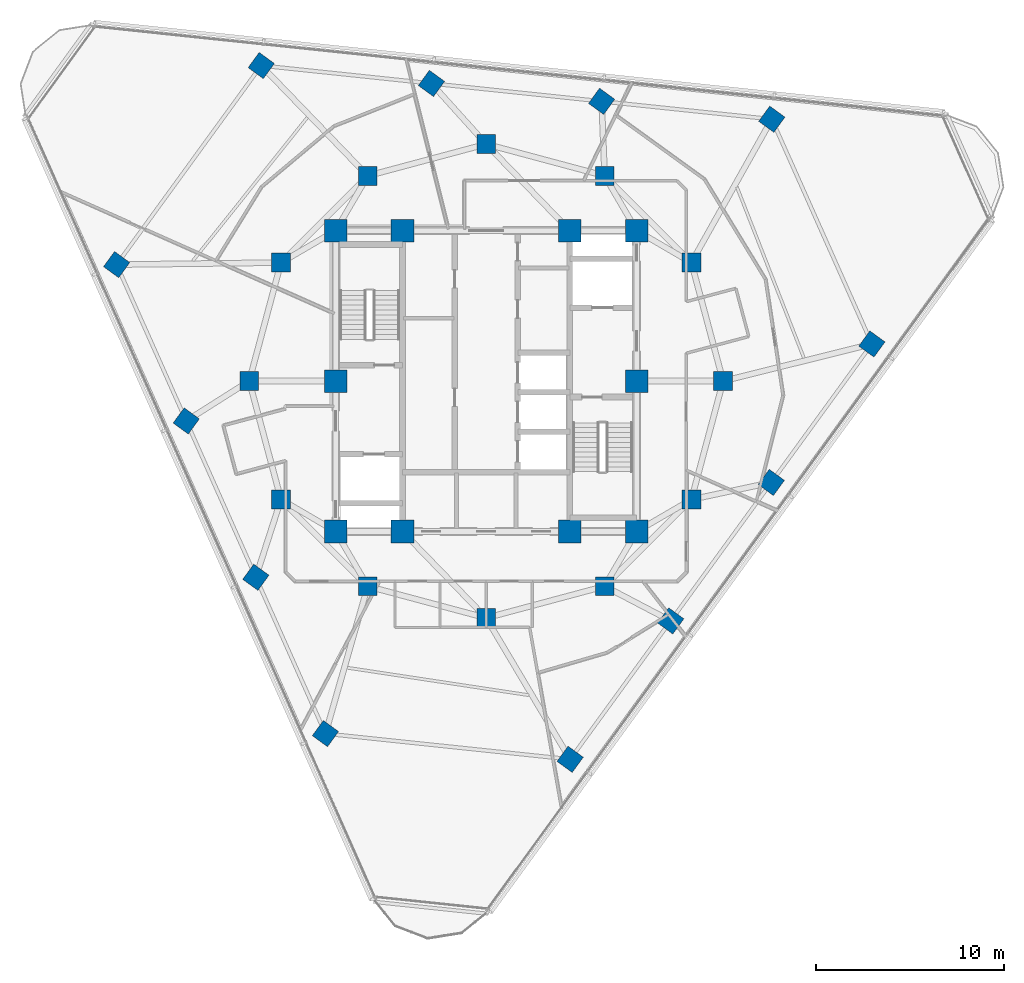
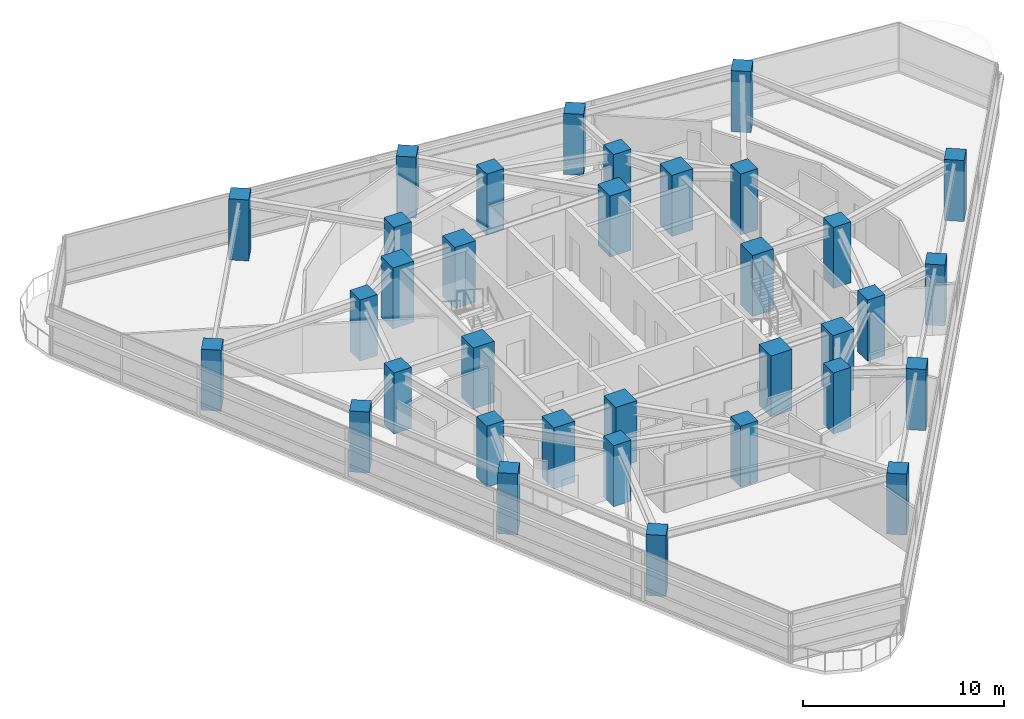
# One storey, part 1 of 15: 34 columns.
"""IFC4 building model written with IfcOpenShell, lengths in metres."""

from ifc_helpers import new_model, si_unit, direction, frame, origin, origin_2d, place, context, subcontext, project, spatial, rectangle, extrude, material, material_profile, profile_set, type_object, element, save


model = new_model("IFC4")

# Units and contexts
model_context = context("Model", 3, precision=1e-05, world=origin(), true_north=direction((0.0, 1.0)))
body_context = subcontext(model_context, "Body", "Model", "MODEL_VIEW")
ifc_project = project(units=[si_unit("LENGTHUNIT", "METRE"), si_unit("AREAUNIT", "SQUARE_METRE"), si_unit("VOLUMEUNIT", "CUBIC_METRE"), si_unit("PLANEANGLEUNIT", "RADIAN"), si_unit("MASSUNIT", "GRAM", prefix="KILO")], contexts=[model_context])

# Site, building, storey
site_placement = place(None, origin())
site = spatial("IfcSite", under=ifc_project, at=site_placement, CompositionType="ELEMENT")
building_placement = place(site_placement, origin())
building = spatial("IfcBuilding", under=site, at=building_placement, Name="Terralouvre Media Tower", CompositionType="ELEMENT")
storey_placement = place(building_placement, frame((0.0, 0.0, 237.39990234375)))
storey = spatial("IfcBuildingStorey", under=building, at=storey_placement, Name="L61", CompositionType="ELEMENT", Elevation=237.39990234375)

# Columns
ifc_material_1 = material(Name="Concrete C50/60", Category="concrete")
ifc_material_profile_1 = material_profile(ifc_material_1, rectangle(XDim=1.0, YDim=1.0, at=origin_2d()), Name="RC 1000x1000")
ifc_profile_set_1 = profile_set([ifc_material_profile_1], Name="Concrete C50/60")
column_type_1 = type_object("IfcColumnType", Name="Structural Column C-RC1000 (RC 1000x1000)", PredefinedType="COLUMN", material=ifc_profile_set_1)
for number, where, z_axis, x_axis, name in (
    (1, (12.60009765625, 0.0, 0.0), (0.0, 0.0, 1.0), (1.0, 0.0, 0.0), "L61 Mega-Frame Column MC01"),
    (2, (10.911865234375, 6.300048828125, 0.0), (0.0, 0.0, 1.0), (1.0, 0.0, 0.0), "L61 Mega-Frame Column MC02"),
    (3, (6.300048828125, 10.911865234375, 0.0), (0.0, 0.0, 1.0), (1.0, 0.0, 0.0), "L61 Mega-Frame Column MC03"),
    (4, (0.0, 12.60009765625, 0.0), (0.0, 0.0, 1.0), (1.0, 0.0, 0.0), "L61 Mega-Frame Column MC04"),
    (5, (-6.300048828125, 10.911865234375, 0.0), (0.0, 0.0, 1.0), (1.0, 0.0, 0.0), "L61 Mega-Frame Column MC05"),
    (6, (-10.911865234375, 6.300048828125, 0.0), (0.0, 0.0, 1.0), (1.0, 0.0, 0.0), "L61 Mega-Frame Column MC06"),
    (7, (-12.60009765625, 0.0, 0.0), (0.0, 0.0, 1.0), (1.0, 0.0, 0.0), "L61 Mega-Frame Column MC07"),
    (8, (-10.911865234375, -6.300048828125, 0.0), (0.0, 0.0, 1.0), (1.0, 0.0, 0.0), "L61 Mega-Frame Column MC08"),
    (9, (-6.300048828125, -10.911865234375, 0.0), (0.0, 0.0, 1.0), (1.0, 0.0, 0.0), "L61 Mega-Frame Column MC09"),
    (10, (0.0, -12.60009765625, 0.0), (0.0, 0.0, 1.0), (1.0, 0.0, 0.0), "L61 Mega-Frame Column MC10"),
    (11, (6.300048828125, -10.911865234375, 0.0), (0.0, 0.0, 1.0), (1.0, 0.0, 0.0), "L61 Mega-Frame Column MC11"),
    (12, (10.911865234375, -6.300048828125, 0.0), (0.0, 0.0, 1.0), (1.0, 0.0, 0.0), "L61 Mega-Frame Column MC12"),
    (13, (4.463623046875, -20.115478515625, 0.0), (0.0, 0.0, 1.0), (0.587785252292, 0.809016994375, 0.0), "L61 Perimeter Mega-Column PC11"),
    (14, (9.8125, -12.75341796875, 0.0), (0.0, 0.0, 1.0), (0.587785252292, 0.809016994375, 0.0), "L61 Perimeter Mega-Column PC12"),
    (15, (15.161376953125, -5.391357421875, 0.0), (0.0, 0.0, 1.0), (0.587785252292, 0.809016994375, 0.0), "L61 Perimeter Mega-Column PC13"),
    (16, (20.51025390625, 1.970703125, 0.0), (0.0, 0.0, 1.0), (0.587785252292, 0.809016994375, 0.0), "L61 Perimeter Mega-Column PC14"),
    (17, (15.1884765625, 13.92333984375, 0.0), (0.0, 0.0, 1.0), (0.587785252292, 0.809016994375, 0.0), "L61 Perimeter Mega-Column PC21"),
    (18, (6.138427734375, 14.87451171875, 0.0), (0.0, 0.0, 1.0), (0.587785252292, 0.809016994375, 0.0), "L61 Perimeter Mega-Column PC22"),
    (19, (-2.91162109375, 15.82568359375, 0.0), (0.0, 0.0, 1.0), (0.587785252292, 0.809016994375, 0.0), "L61 Perimeter Mega-Column PC23"),
    (20, (-11.9619140625, 16.77685546875, 0.0), (0.0, 0.0, 1.0), (0.587785252292, 0.809016994375, 0.0), "L61 Perimeter Mega-Column PC24"),
    (21, (-19.65234375, 6.192138671875, 0.0), (0.0, 0.0, 1.0), (0.587785252292, 0.809016994375, 0.0), "L61 Perimeter Mega-Column PC31"),
    (22, (-15.950927734375, -2.121337890625, 0.0), (0.0, 0.0, 1.0), (0.587785252292, 0.809016994375, 0.0), "L61 Perimeter Mega-Column PC32"),
    (23, (-12.249755859375, -10.4345703125, 0.0), (0.0, 0.0, 1.0), (0.587785252292, 0.809016994375, 0.0), "L61 Perimeter Mega-Column PC33"),
    (24, (-8.54833984375, -18.747802734375, 0.0), (0.0, 0.0, 1.0), (0.587785252292, 0.809016994375, 0.0), "L61 Perimeter Mega-Column PC34"),
):
    element("IfcColumn", number, at=place(storey_placement, frame(where, z_axis=z_axis, x_axis=x_axis)), inside=storey, type_object=column_type_1, Name=name, PredefinedType="COLUMN", context=body_context, shape_type="SweptSolid", body=[
        extrude(rectangle(XDim=1.0, YDim=1.0, at=origin_2d()), origin(), (0.0, 0.0, 1.0), 3.7001953125),
    ])
ifc_material_2 = material(Name="Concrete C60/75", Category="concrete")
ifc_material_profile_2 = material_profile(ifc_material_2, rectangle(XDim=1.199951171875, YDim=1.199951171875, at=origin_2d()), Name="RC 1200x1200")
ifc_profile_set_2 = profile_set([ifc_material_profile_2], Name="Concrete C60/75")
column_type_2 = type_object("IfcColumnType", Name="Structural Column C-RC1200 (RC 1200x1200)", PredefinedType="COLUMN", material=ifc_profile_set_2)
for number, where, z_axis, x_axis, name in (
    (25, (-8.0, -8.0, 0.0), (0.0, 0.0, 1.0), (1.0, 0.0, 0.0), "L61 Core Pilaster Column CP1"),
    (26, (-4.449951171875, -8.0, 0.0), (0.0, 0.0, 1.0), (1.0, 0.0, 0.0), "L61 Core Pilaster Column CP2"),
    (27, (4.449951171875, -8.0, 0.0), (0.0, 0.0, 1.0), (1.0, 0.0, 0.0), "L61 Core Pilaster Column CP10"),
    (28, (8.0, -8.0, 0.0), (0.0, 0.0, 1.0), (1.0, 0.0, 0.0), "L61 Core Pilaster Column CP3"),
    (29, (8.0, 0.0, 0.0), (0.0, 0.0, 1.0), (1.0, 0.0, 0.0), "L61 Core Pilaster Column CP4"),
    (30, (8.0, 8.0, 0.0), (0.0, 0.0, 1.0), (1.0, 0.0, 0.0), "L61 Core Pilaster Column CP5"),
    (31, (4.449951171875, 8.0, 0.0), (0.0, 0.0, 1.0), (1.0, 0.0, 0.0), "L61 Core Pilaster Column CP9"),
    (32, (-4.449951171875, 8.0, 0.0), (0.0, 0.0, 1.0), (1.0, 0.0, 0.0), "L61 Core Pilaster Column CP6"),
    (33, (-8.0, 8.0, 0.0), (0.0, 0.0, 1.0), (1.0, 0.0, 0.0), "L61 Core Pilaster Column CP7"),
    (34, (-8.0, 0.0, 0.0), (0.0, 0.0, 1.0), (1.0, 0.0, 0.0), "L61 Core Pilaster Column CP8"),
):
    element("IfcColumn", number, at=place(storey_placement, frame(where, z_axis=z_axis, x_axis=x_axis)), inside=storey, type_object=column_type_2, Name=name, PredefinedType="COLUMN", context=body_context, shape_type="SweptSolid", body=[
        extrude(rectangle(XDim=1.199951171875, YDim=1.199951171875, at=origin_2d()), origin(), (0.0, 0.0, 1.0), 3.7001953125),
    ])

save(model, "model.ifc")
